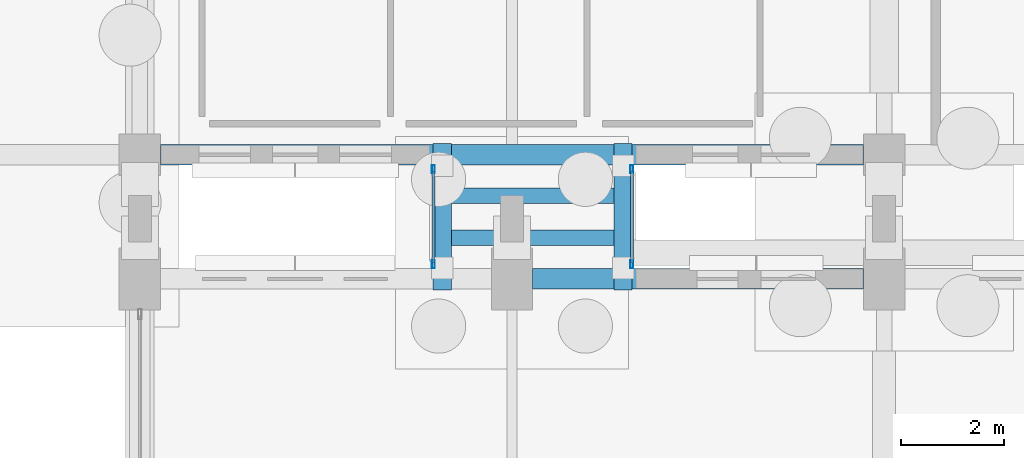
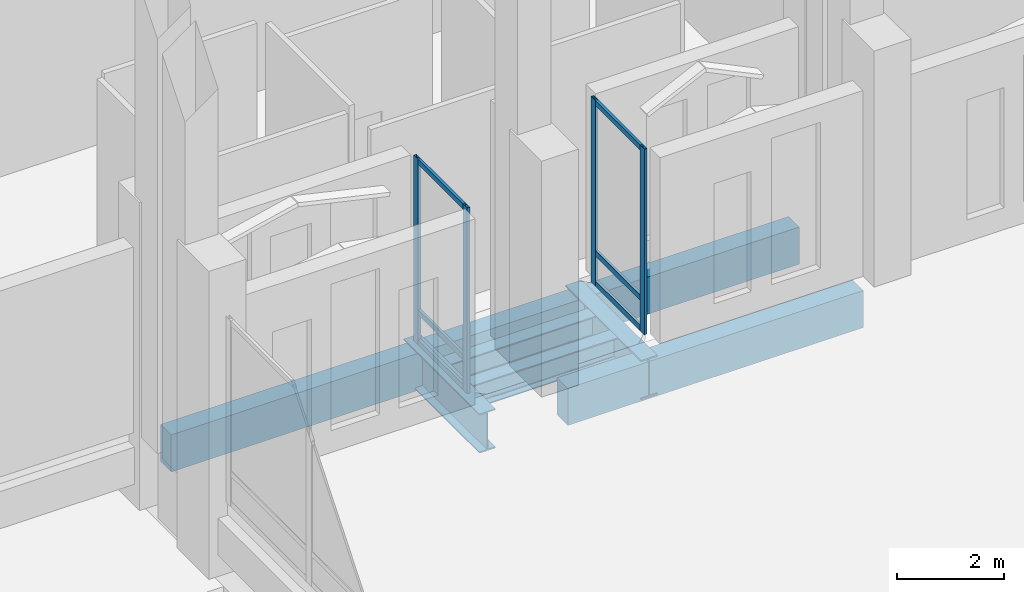
# One storey, part 111 of 192: 10 members, 6 beams, 2 elements without a shape of their own.
"""IFC4 building model written with IfcOpenShell, lengths in metres."""

import ifcopenshell
import ifcopenshell.guid

model = None  # the IFC model being written
_history = None  # IfcOwnerHistory: only IFC2X3 demands one
_inside = {}  # id of a spatial element -> (the spatial element, [elements in it])
_under = {}  # id of a project, library or spatial element -> (it, [spatial elements below it])
_declared = {}  # id of a project -> (the project, [libraries it declares])
_typed = {}  # id of a type object -> (the type object, [elements of that type])
_made_of = {}  # id of a material, layer set ... -> (it, [elements and type objects made of it])


def new_model(schema):
    """Start an empty IFC model of exactly this schema.

    Asked for "IFC4X3", IfcOpenShell would pick the latest addendum, in which some entities
    have other attributes; the version numbers below select the first issue.
    IFC2X3 requires an IfcOwnerHistory on every rooted entity: one is made here for all.
    """
    global model, _history
    if schema == "IFC4X3":
        model = ifcopenshell.file(schema_version=(4, 3, 0, 0))
    else:
        model = ifcopenshell.file(schema=schema)
    _inside.clear()
    _under.clear()
    _declared.clear()
    _typed.clear()
    _made_of.clear()
    _history = None
    if model.schema == "IFC2X3":
        org = make("IfcOrganization", Name="unknown")
        user = make(
            "IfcPersonAndOrganization",
            ThePerson=make("IfcPerson", FamilyName="unknown"),
            TheOrganization=org,
        )
        app = make(
            "IfcApplication",
            ApplicationDeveloper=org,
            Version="unknown",
            ApplicationFullName="unknown",
            ApplicationIdentifier="unknown",
        )
        _history = make(
            "IfcOwnerHistory",
            OwningUser=user,
            OwningApplication=app,
            ChangeAction="ADDED",
            CreationDate=0,
        )
    return model


def make(cls, **values):
    """One entity of the class cls with the attributes given. An attribute that is None is left unset."""
    return model.create_entity(
        cls, **{name: value for name, value in values.items() if value is not None}
    )


def rooted(cls, **values):
    """An entity with a GlobalId (a new one), such as an element, a storey or a relation."""
    return make(cls, GlobalId=ifcopenshell.guid.new(), OwnerHistory=_history, **values)


def si_unit(unit_type, name, prefix=None):
    """IfcSIUnit, for example si_unit("LENGTHUNIT", "METRE", prefix="MILLI")."""
    return make("IfcSIUnit", UnitType=unit_type, Prefix=prefix, Name=name)


def assignment(units):
    """IfcUnitAssignment: the units of a project."""
    return None if units is None else make("IfcUnitAssignment", Units=units)


def point(xyz):
    """IfcCartesianPoint."""
    return None if xyz is None else make("IfcCartesianPoint", Coordinates=xyz)


def direction(xyz):
    """IfcDirection."""
    return None if xyz is None else make("IfcDirection", DirectionRatios=xyz)


def frame(location, z_axis=None, x_axis=None):
    """IfcAxis2Placement3D, a coordinate frame: its origin and axes. An axis left out is left unset."""
    return make(
        "IfcAxis2Placement3D",
        Location=point(location),
        Axis=direction(z_axis),
        RefDirection=direction(x_axis),
    )


def frame_2d(location, x_axis=None):
    """IfcAxis2Placement2D, a coordinate frame in the plane: its origin and x axis."""
    return make(
        "IfcAxis2Placement2D", Location=point(location), RefDirection=direction(x_axis)
    )


def origin():
    """The frame at (0, 0, 0) with its axes left unset."""
    return frame((0.0, 0.0, 0.0))


def origin_2d():
    """The frame at (0, 0) in the plane with its x axis left unset."""
    return frame_2d((0.0, 0.0))


def place(relative_to, where):
    """IfcLocalPlacement: puts the frame where relative to a parent placement (None: the world)."""
    return make(
        "IfcLocalPlacement", PlacementRelTo=relative_to, RelativePlacement=where
    )


def context(
    kind, dimensions, precision=None, world=None, true_north=None, identifier=None
):
    """IfcGeometricRepresentationContext, for example the 3D "Model" context."""
    return make(
        "IfcGeometricRepresentationContext",
        ContextIdentifier=identifier,
        ContextType=kind,
        CoordinateSpaceDimension=dimensions,
        Precision=precision,
        WorldCoordinateSystem=world,
        TrueNorth=true_north,
    )


def subcontext(parent, identifier, kind, view, scale=None):
    """IfcGeometricRepresentationSubContext, for example "Body" below "Model"."""
    return make(
        "IfcGeometricRepresentationSubContext",
        ContextIdentifier=identifier,
        ContextType=kind,
        ParentContext=parent,
        TargetScale=scale,
        TargetView=view,
    )


def project(units=None, contexts=None):
    """IfcProject with its units and contexts."""
    return rooted(
        "IfcProject",
        Name="project",
        RepresentationContexts=contexts,
        UnitsInContext=assignment(units),
    )


def spatial(cls, under=None, at=None, **own):
    """A site, building, storey or space (cls), placed at a placement, below another one or the project."""
    s = rooted(cls, ObjectPlacement=at, **own)
    if under is not None:
        _under.setdefault(under.id(), (under, []))[1].append(s)
    return s


def profile(cls, at=None, kind="AREA", **sizes):
    """A parametric profile (cls). Its sizes go by their IFC names, for example OverallWidth=200.0."""
    return make(cls, ProfileType=kind, Position=at, **sizes)


def rectangle(**sizes):
    """IfcRectangleProfileDef."""
    return profile("IfcRectangleProfileDef", **sizes)


def hollow_rectangle(**sizes):
    """IfcRectangleHollowProfileDef."""
    return profile("IfcRectangleHollowProfileDef", **sizes)


def i_section(**sizes):
    """IfcIShapeProfileDef."""
    return profile("IfcIShapeProfileDef", **sizes)


def extrude(swept, where, along, depth):
    """IfcExtrudedAreaSolid: the profile swept, set in the frame where, extruded along a direction by depth."""
    return make(
        "IfcExtrudedAreaSolid",
        SweptArea=swept,
        Position=where,
        ExtrudedDirection=direction(along),
        Depth=depth,
    )


def shape(context_of_items, identifier, shape_type, items):
    """IfcShapeRepresentation: the items that make up one representation, for example the "Body"."""
    return make(
        "IfcShapeRepresentation",
        ContextOfItems=context_of_items,
        RepresentationIdentifier=identifier,
        RepresentationType=shape_type,
        Items=items,
    )


def material(Name=None, Category=None):
    """IfcMaterial."""
    return make("IfcMaterial", Name=Name, Category=Category)


def material_profile(
    of_material, cross_section, Name=None, Category=None, Priority=None
):
    """IfcMaterialProfile: a cross section and its material."""
    return make(
        "IfcMaterialProfile",
        Name=Name,
        Material=of_material,
        Profile=cross_section,
        Priority=Priority,
        Category=Category,
    )


def profile_set(profiles, Name=None, composite=None):
    """IfcMaterialProfileSet."""
    return make(
        "IfcMaterialProfileSet",
        Name=Name,
        MaterialProfiles=profiles,
        CompositeProfile=composite,
    )


def made_of(thing, what):
    """Note that an element or type object is made of a material, layer set ...; save() writes the relation."""
    if what is not None:
        _made_of.setdefault(what.id(), (what, []))[1].append(thing)
    return thing


def type_object(cls, material=None, **own):
    """A type object (cls), such as IfcWallType, which elements share."""
    return made_of(rooted(cls, **own), material)


def element(
    cls,
    number,
    at=None,
    inside=None,
    cuts=None,
    type_object=None,
    material=None,
    context=None,
    identifier="Body",
    shape_type=None,
    held_by="IfcProductDefinitionShape",
    body=None,
    shapes=None,
    **own,
):
    """One element of the class cls, such as IfcWall. Its Tag is "e" and its number.

    at: its placement. inside: the storey or other place that contains it. cuts: it is an
    opening in that element (IfcRelVoidsElement). A single representation is given by context,
    identifier, shape_type and body (its items); several are given by shapes. held_by: the class
    of the entity that holds the representations. save() writes the other relations.
    """
    e = rooted(cls, Tag="e%d" % number, ObjectPlacement=at, **own)
    if body is not None:
        shapes = [shape(context, identifier, shape_type, body)]
    if shapes is not None:
        e.Representation = make(held_by, Representations=shapes)
    if inside is not None:
        _inside.setdefault(inside.id(), (inside, []))[1].append(e)
    if cuts is not None:
        rooted(
            "IfcRelVoidsElement", RelatingBuildingElement=cuts, RelatedOpeningElement=e
        )
    if type_object is not None:
        _typed.setdefault(type_object.id(), (type_object, []))[1].append(e)
    return made_of(e, material)


def aggregate(whole, parts):
    """IfcRelAggregates: a whole, such as a stair, and the parts it consists of."""
    return rooted("IfcRelAggregates", RelatingObject=whole, RelatedObjects=parts)


def save(model, path):
    """Write the relations noted so far, then the file.

    IfcRelAggregates (storeys below a building ...), IfcRelContainedInSpatialStructure (elements
    in a storey), IfcRelDefinesByType, IfcRelAssociatesMaterial and IfcRelDeclares: one each for
    every whole, place, type object, material and project.
    """
    for whole, parts in _under.values():
        aggregate(whole, parts)
    for where, things in _inside.values():
        rooted(
            "IfcRelContainedInSpatialStructure",
            RelatedElements=things,
            RelatingStructure=where,
        )
    for kind, things in _typed.values():
        rooted("IfcRelDefinesByType", RelatedObjects=things, RelatingType=kind)
    for what, things in _made_of.values():
        rooted("IfcRelAssociatesMaterial", RelatedObjects=things, RelatingMaterial=what)
    for by, libraries in _declared.values():
        rooted("IfcRelDeclares", RelatingContext=by, RelatedDefinitions=libraries)
    model.write(path)


model = new_model("IFC4")

# Units and contexts
model_context = context("Model", 3, precision=1e-05, world=origin(), true_north=direction((0.0, 1.0)))
body_context = subcontext(model_context, "Body", "Model", "MODEL_VIEW")
ifc_project = project(units=[si_unit("LENGTHUNIT", "METRE"), si_unit("AREAUNIT", "SQUARE_METRE"), si_unit("VOLUMEUNIT", "CUBIC_METRE"), si_unit("PLANEANGLEUNIT", "RADIAN"), si_unit("MASSUNIT", "GRAM", prefix="KILO")], contexts=[model_context])

# Site, building, storey
site_placement = place(None, origin())
site = spatial("IfcSite", under=ifc_project, at=site_placement, CompositionType="ELEMENT")
building_placement = place(site_placement, origin())
building = spatial("IfcBuilding", under=site, at=building_placement, Name="Cendralis Lancet Convention Centre", CompositionType="ELEMENT")
storey_placement = place(building_placement, origin())
storey = spatial("IfcBuildingStorey", under=building, at=storey_placement, Name="L00", CompositionType="ELEMENT", Elevation=0.0)

# Curtain wall, members
ifc_material_1 = material(Name="Anodised bronze architectural aluminium", Category="aluminium")
curtain_wall_type = type_object("IfcCurtainWallType", Name="ARC-CW-BR01", PredefinedType="USERDEFINED", material=ifc_material_1)
curtain_wall_1_placement = place(storey_placement, origin())
curtain_wall_1 = element("IfcCurtainWall", 1, at=curtain_wall_1_placement, inside=storey, type_object=curtain_wall_type, Name="L00 Curtain Wall CW-BR1 #195", ObjectType="CURTAIN WALL", PredefinedType="USERDEFINED")
ifc_material_profile_1 = material_profile(ifc_material_1, hollow_rectangle(XDim=0.06005859375, YDim=0.159912109375, WallThickness=0.00390625, at=origin_2d()), Name="AL-MULL 60x160x4.0")
ifc_profile_set_1 = profile_set([ifc_material_profile_1], Name="Anodised bronze architectural aluminium")
member_type_1 = type_object("IfcMemberType", Name="ARC-CW-ML01", PredefinedType="MULLION", material=ifc_profile_set_1)
member_1_placement = place(storey_placement, frame((144.8798828125, 91.47998046875, 0.0), z_axis=(0.0, 0.0, 1.0), x_axis=(1.0, 0.0, 0.0)))
member_1 = element("IfcMember", 2, at=member_1_placement, type_object=member_type_1, Name="Mullion CW2-CW-BR1-L00-195-M0", PredefinedType="MULLION", context=body_context, shape_type="SweptSolid", body=[
    extrude(hollow_rectangle(XDim=0.06005859375, YDim=0.159912109375, WallThickness=0.00390625, at=origin_2d()), origin(), (0.0, 0.0, 1.0), 4.25),
])
member_2_placement = place(storey_placement, frame((144.8798828125, 93.320068359375, 0.0), z_axis=(0.0, 0.0, 1.0), x_axis=(1.0, 0.0, 0.0)))
member_2 = element("IfcMember", 3, at=member_2_placement, type_object=member_type_1, Name="Mullion CW2-CW-BR1-L00-195-M1", PredefinedType="MULLION", context=body_context, shape_type="SweptSolid", body=[
    extrude(hollow_rectangle(XDim=0.06005859375, YDim=0.159912109375, WallThickness=0.00390625, at=origin_2d()), origin(), (0.0, 0.0, 1.0), 4.25),
])

curtain_wall_2_placement = place(storey_placement, origin())
curtain_wall_2 = element("IfcCurtainWall", 4, at=curtain_wall_2_placement, inside=storey, type_object=curtain_wall_type, Name="L00 Curtain Wall CW-BR1 #196", ObjectType="CURTAIN WALL", PredefinedType="USERDEFINED")
member_3_placement = place(storey_placement, frame((148.719970703125, 91.47998046875, 0.0), z_axis=(0.0, 0.0, 1.0), x_axis=(1.0, 0.0, 0.0)))
member_3 = element("IfcMember", 5, at=member_3_placement, type_object=member_type_1, Name="Mullion CW2-CW-BR1-L00-196-M0", PredefinedType="MULLION", context=body_context, shape_type="SweptSolid", body=[
    extrude(hollow_rectangle(XDim=0.06005859375, YDim=0.159912109375, WallThickness=0.00390625, at=origin_2d()), origin(), (0.0, 0.0, 1.0), 4.25),
])
member_4_placement = place(storey_placement, frame((148.719970703125, 93.320068359375, 0.0), z_axis=(0.0, 0.0, 1.0), x_axis=(1.0, 0.0, 0.0)))
member_4 = element("IfcMember", 6, at=member_4_placement, type_object=member_type_1, Name="Mullion CW2-CW-BR1-L00-196-M1", PredefinedType="MULLION", context=body_context, shape_type="SweptSolid", body=[
    extrude(hollow_rectangle(XDim=0.06005859375, YDim=0.159912109375, WallThickness=0.00390625, at=origin_2d()), origin(), (0.0, 0.0, 1.0), 4.25),
])

# Member
ifc_material_profile_2 = material_profile(ifc_material_1, hollow_rectangle(XDim=0.06005859375, YDim=0.1201171875, WallThickness=0.00390625, at=origin_2d()), Name="AL-TRAN 60x120x4.0")
ifc_profile_set_2 = profile_set([ifc_material_profile_2], Name="Anodised bronze architectural aluminium")
member_type_2 = type_object("IfcMemberType", Name="ARC-CW-TR01", PredefinedType="USERDEFINED", material=ifc_profile_set_2)
member_5_placement = place(storey_placement, frame((144.8798828125, 91.510009765625, 0.06005859375), z_axis=(0.0, 1.0, 0.0), x_axis=(-1.0, 0.0, 0.0)))
member_5 = element("IfcMember", 7, at=member_5_placement, type_object=member_type_2, Name="Transom CW2-CW-BR1-L00-195-T0BOT", ObjectType="TRANSOM", PredefinedType="USERDEFINED", context=body_context, shape_type="SweptSolid", body=[
    extrude(hollow_rectangle(XDim=0.06005859375, YDim=0.1201171875, WallThickness=0.00390625, at=origin_2d()), origin(), (0.0, 0.0, 1.0), 1.780029296875),
])

member_6_placement = place(storey_placement, frame((144.8798828125, 91.510009765625, 0.75), z_axis=(0.0, 1.0, 0.0), x_axis=(-1.0, 0.0, 0.0)))
member_6 = element("IfcMember", 8, at=member_6_placement, type_object=member_type_2, Name="Transom CW2-CW-BR1-L00-195-T0MID", ObjectType="TRANSOM", PredefinedType="USERDEFINED", context=body_context, shape_type="SweptSolid", body=[
    extrude(hollow_rectangle(XDim=0.06005859375, YDim=0.1201171875, WallThickness=0.00390625, at=origin_2d()), origin(), (0.0, 0.0, 1.0), 1.780029296875),
])

member_7_placement = place(storey_placement, frame((144.8798828125, 91.510009765625, 4.18994140625), z_axis=(0.0, 1.0, 0.0), x_axis=(-1.0, 0.0, 0.0)))
member_7 = element("IfcMember", 9, at=member_7_placement, type_object=member_type_2, Name="Transom CW2-CW-BR1-L00-195-T0TOP", ObjectType="TRANSOM", PredefinedType="USERDEFINED", context=body_context, shape_type="SweptSolid", body=[
    extrude(hollow_rectangle(XDim=0.06005859375, YDim=0.1201171875, WallThickness=0.00390625, at=origin_2d()), origin(), (0.0, 0.0, 1.0), 1.780029296875),
])

aggregate(curtain_wall_1, [member_1, member_2, member_5, member_6, member_7])

member_8_placement = place(storey_placement, frame((148.719970703125, 91.510009765625, 0.06005859375), z_axis=(0.0, 1.0, 0.0), x_axis=(-1.0, 0.0, 0.0)))
member_8 = element("IfcMember", 10, at=member_8_placement, type_object=member_type_2, Name="Transom CW2-CW-BR1-L00-196-T0BOT", ObjectType="TRANSOM", PredefinedType="USERDEFINED", context=body_context, shape_type="SweptSolid", body=[
    extrude(hollow_rectangle(XDim=0.06005859375, YDim=0.1201171875, WallThickness=0.00390625, at=origin_2d()), origin(), (0.0, 0.0, 1.0), 1.780029296875),
])

member_9_placement = place(storey_placement, frame((148.719970703125, 91.510009765625, 0.75), z_axis=(0.0, 1.0, 0.0), x_axis=(-1.0, 0.0, 0.0)))
member_9 = element("IfcMember", 11, at=member_9_placement, type_object=member_type_2, Name="Transom CW2-CW-BR1-L00-196-T0MID", ObjectType="TRANSOM", PredefinedType="USERDEFINED", context=body_context, shape_type="SweptSolid", body=[
    extrude(hollow_rectangle(XDim=0.06005859375, YDim=0.1201171875, WallThickness=0.00390625, at=origin_2d()), origin(), (0.0, 0.0, 1.0), 1.780029296875),
])

member_10_placement = place(storey_placement, frame((148.719970703125, 91.510009765625, 4.18994140625), z_axis=(0.0, 1.0, 0.0), x_axis=(-1.0, 0.0, 0.0)))
member_10 = element("IfcMember", 12, at=member_10_placement, type_object=member_type_2, Name="Transom CW2-CW-BR1-L00-196-T0TOP", ObjectType="TRANSOM", PredefinedType="USERDEFINED", context=body_context, shape_type="SweptSolid", body=[
    extrude(hollow_rectangle(XDim=0.06005859375, YDim=0.1201171875, WallThickness=0.00390625, at=origin_2d()), origin(), (0.0, 0.0, 1.0), 1.780029296875),
])

aggregate(curtain_wall_2, [member_3, member_4, member_8, member_9, member_10])

# Beams
ifc_material_2 = material(Name="Steel S355", Category="steel")
ifc_material_profile_3 = material_profile(ifc_material_2, i_section(OverallWidth=0.35009765625, OverallDepth=0.89990234375, WebThickness=0.01611328125, FlangeThickness=0.028076171875, at=origin_2d()), Name="PG 900x350")
ifc_profile_set_3 = profile_set([ifc_material_profile_3], Name="Steel S355")
beam_type_1 = type_object("IfcBeamType", Name="STR-BM-SG05", PredefinedType="BEAM", material=ifc_profile_set_3)
for number, where, z_axis, x_axis, name in (
    (13, (145.050048828125, 90.97998046875, -0.669921875), (0.0, 1.0, 0.0), (-1.0, 0.0, 0.0), "L00 Beam SG05 #1884"),
    (14, (148.550048828125, 90.97998046875, -0.669921875), (0.0, 1.0, 0.0), (-1.0, 0.0, 0.0), "L00 Beam SG05 #1885"),
):
    element("IfcBeam", number, at=place(storey_placement, frame(where, z_axis=z_axis, x_axis=x_axis)), inside=storey, type_object=beam_type_1, Name=name, PredefinedType="BEAM", context=body_context, shape_type="SweptSolid", body=[
        extrude(i_section(OverallWidth=0.35009765625, OverallDepth=0.89990234375, WebThickness=0.01611328125, FlangeThickness=0.028076171875, at=origin_2d()), origin(), (0.0, 0.0, 1.0), 2.840087890625),
    ])
ifc_material_profile_4 = material_profile(ifc_material_2, i_section(OverallWidth=0.300048828125, OverallDepth=0.5400390625, WebThickness=0.012451171875, FlangeThickness=0.02392578125, FilletRadius=0.027099609375, at=origin_2d()), Name="HEA 550")
ifc_profile_set_4 = profile_set([ifc_material_profile_4], Name="Steel S355")
beam_type_2 = type_object("IfcBeamType", Name="STR-BM-SG11", PredefinedType="BEAM", material=ifc_profile_set_4)
for number, where, z_axis, x_axis, name in (
    (15, (145.22998046875, 91.991943359375, -0.489990234375), (1.0, 0.0, 0.0), (0.0, 1.0, 0.0), "L00 Beam SG11 #1886"),
    (16, (145.22998046875, 92.80810546875, -0.489990234375), (1.0, 0.0, 0.0), (0.0, 1.0, 0.0), "L00 Beam SG11 #1887"),
):
    element("IfcBeam", number, at=place(storey_placement, frame(where, z_axis=z_axis, x_axis=x_axis)), inside=storey, type_object=beam_type_2, Name=name, PredefinedType="BEAM", context=body_context, shape_type="SweptSolid", body=[
        extrude(i_section(OverallWidth=0.300048828125, OverallDepth=0.5400390625, WebThickness=0.012451171875, FlangeThickness=0.02392578125, FilletRadius=0.027099609375, at=origin_2d()), origin(), (0.0, 0.0, 1.0), 3.14013671875),
    ])
ifc_material_3 = material(Name="Concrete G40 (C40/50)", Category="concrete")
ifc_material_profile_5 = material_profile(ifc_material_3, rectangle(XDim=0.39990234375, YDim=0.85009765625, at=origin_2d()), Name="RCB 400x850")
ifc_profile_set_5 = profile_set([ifc_material_profile_5], Name="Concrete G40 (C40/50)")
beam_type_3 = type_object("IfcBeamType", Name="STR-SP-SP02", PredefinedType="SPANDREL", material=ifc_profile_set_5)
beam_1_placement = place(storey_placement, frame((146.800048828125, 91.199951171875, -0.7451171875), z_axis=(1.0, 0.0, 0.0), x_axis=(0.0, 1.0, 0.0)))
element("IfcBeam", 17, at=beam_1_placement, inside=storey, type_object=beam_type_3, Name="L00 Beam SP02 #1347", PredefinedType="SPANDREL", context=body_context, shape_type="SweptSolid", body=[
    extrude(rectangle(XDim=0.39990234375, YDim=0.85009765625, at=origin_2d()), origin(), (0.0, 0.0, 1.0), 6.39990234375),
])
beam_2_placement = place(storey_placement, frame((139.60009765625, 93.60009765625, -0.7451171875), z_axis=(1.0, 0.0, 0.0), x_axis=(0.0, 1.0, 0.0)))
element("IfcBeam", 18, at=beam_2_placement, inside=storey, type_object=beam_type_3, Name="L00 Beam SP02 #1582", PredefinedType="SPANDREL", context=body_context, shape_type="SweptSolid", body=[
    extrude(rectangle(XDim=0.39990234375, YDim=0.85009765625, at=origin_2d()), origin(), (0.0, 0.0, 1.0), 13.599853515625),
])

save(model, "model.ifc")
